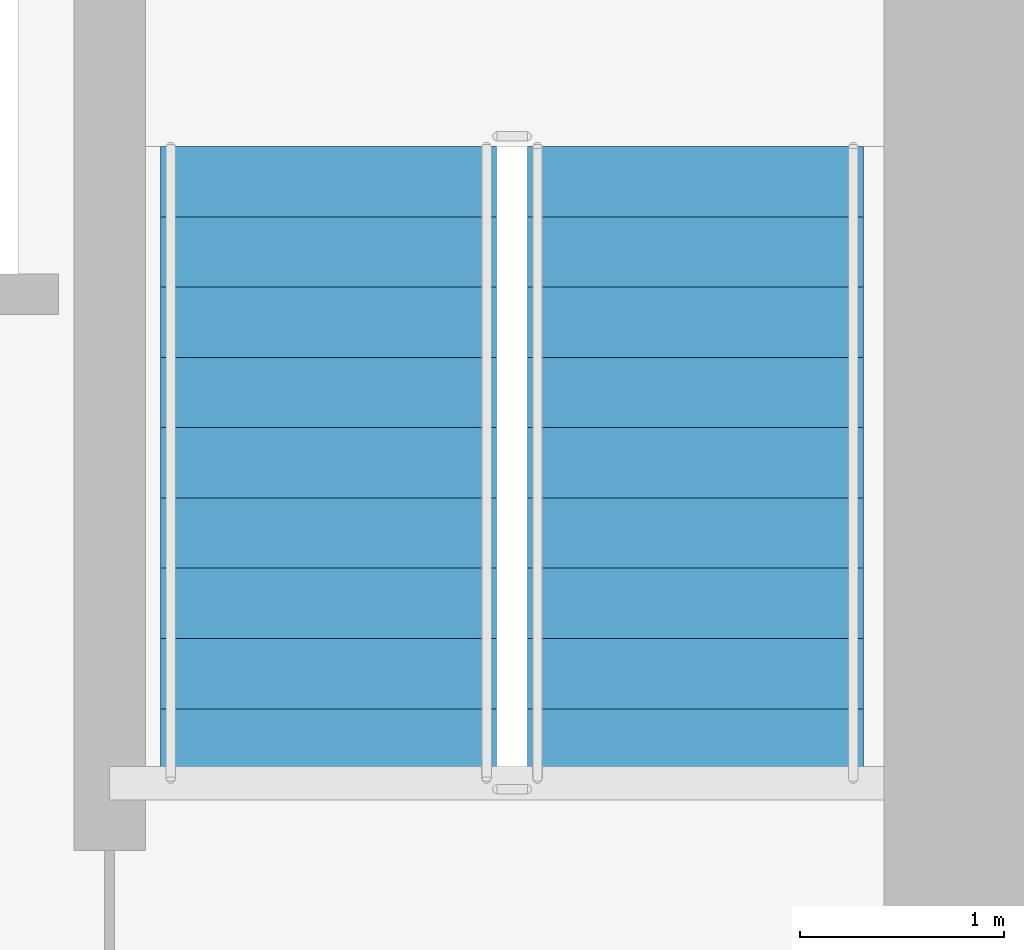
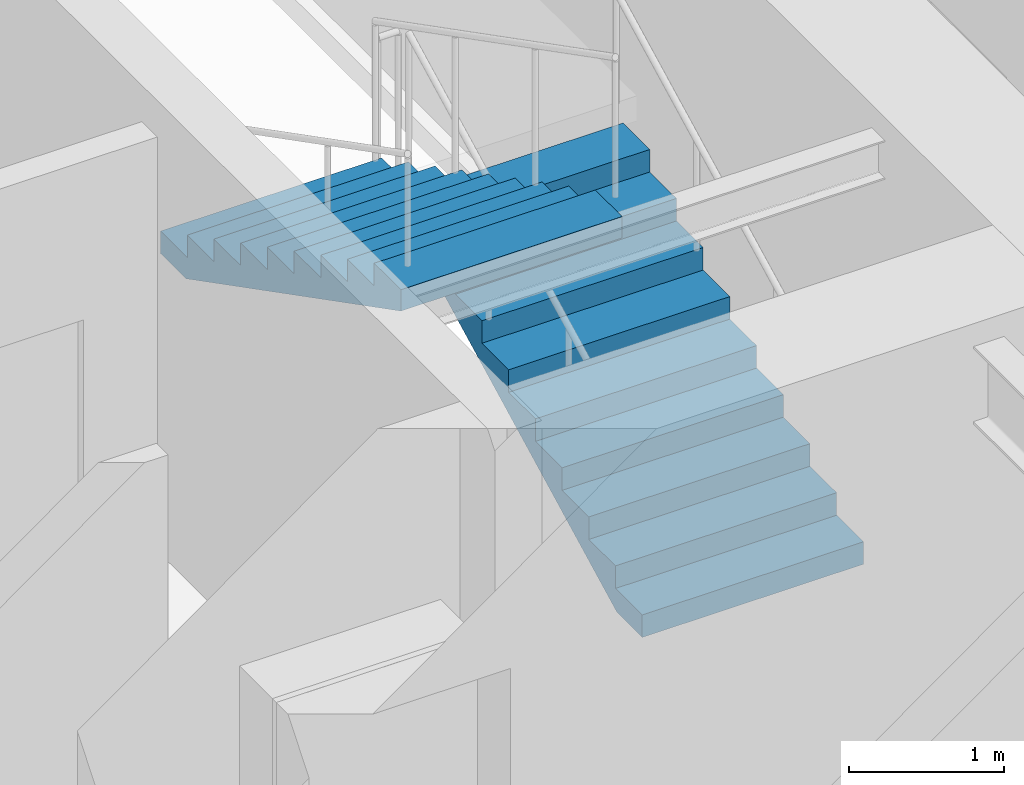
# One storey, part 20 of 25: 2 stair flights, 1 element without a shape of its own.
"""IFC4 building model written with IfcOpenShell, lengths in metres."""

from ifc_helpers import new_model, si_unit, direction, frame, origin, place, context, subcontext, project, spatial, polyline, outline, extrude, material, type_object, element, aggregate, save


model = new_model("IFC4")

# Units and contexts
model_context = context("Model", 3, precision=1e-05, world=origin(), true_north=direction((0.0, 1.0)))
body_context = subcontext(model_context, "Body", "Model", "MODEL_VIEW")
ifc_project = project(units=[si_unit("LENGTHUNIT", "METRE"), si_unit("AREAUNIT", "SQUARE_METRE"), si_unit("VOLUMEUNIT", "CUBIC_METRE"), si_unit("PLANEANGLEUNIT", "RADIAN"), si_unit("MASSUNIT", "GRAM", prefix="KILO")], contexts=[model_context])

# Site, building, storey
site_placement = place(None, origin())
site = spatial("IfcSite", under=ifc_project, at=site_placement, CompositionType="ELEMENT")
building_placement = place(site_placement, origin())
building = spatial("IfcBuilding", under=site, at=building_placement, Name="Tolvann Quenvar Hotel", CompositionType="ELEMENT")
storey_placement = place(building_placement, frame((0.0, 0.0, 39.10009765625)))
storey = spatial("IfcBuildingStorey", under=building, at=storey_placement, Name="L08", CompositionType="ELEMENT", Elevation=39.10009765625)

# Stair, stair flights
ifc_material = material(Name="Concrete N40 (40 MPa)", Category="concrete")
stair_type = type_object("IfcStairType", Name="STAIR", PredefinedType="HALF_TURN_STAIR", material=ifc_material)
stair_placement = place(storey_placement, origin())
stair = element("IfcStair", 1, at=stair_placement, inside=storey, type_object=stair_type, Name="L08 ST-C2", PredefinedType="HALF_TURN_STAIR")
stair_flight_type = type_object("IfcStairFlightType", Name="STAIR_FLIGHT", PredefinedType="STRAIGHT", material=ifc_material)
stair_flight_1_placement = place(storey_placement, frame((34.574951171875, 34.0, 0.0), z_axis=(0.0, 0.0, 1.0), x_axis=(0.0, 1.0, 0.0)))
stair_flight_1 = element("IfcStairFlight", 2, at=stair_flight_1_placement, type_object=stair_flight_type, Name="ST-C2 flight 1", NumberOfRisers=10, NumberOfTreads=9, PredefinedType="STRAIGHT", RiserHeight=0.1775, TreadLength=0.345, context=body_context, shape_type="SweptSolid", body=[
    extrude(outline(polyline([(0.0, 0.0), (0.0, 0.177490234375), (0.344970703125, 0.177490234375), (0.344970703125, 0.35498046875), (0.68994140625, 0.35498046875), (0.68994140625, 0.532470703125), (1.034912109375, 0.532470703125), (1.034912109375, 0.7099609375), (1.3798828125, 0.7099609375), (1.3798828125, 0.887451171875), (1.72509765625, 0.887451171875), (1.72509765625, 1.06494140625), (2.070068359375, 1.06494140625), (2.070068359375, 1.242431640625), (2.4150390625, 1.242431640625), (2.4150390625, 1.419921875), (2.760009765625, 1.419921875), (2.760009765625, 1.597412109375), (3.10498046875, 1.597412109375), (3.10498046875, 1.77490234375), (3.10498046875, 1.428955078125), (0.32763671875, 0.0), (0.0, 0.0)])), frame((0.0, 0.824951171875, 0.0), z_axis=(0.0, -1.0, 0.0), x_axis=(1.0, 0.0, 0.0)), (0.0, 0.0, 1.0), 1.64990234375),
])
stair_flight_2_placement = place(storey_placement, frame((32.77490234375, 37.10498046875, 1.77490234375), z_axis=(0.0, 0.0, 1.0), x_axis=(0.0, -1.0, 0.0)))
stair_flight_2 = element("IfcStairFlight", 3, at=stair_flight_2_placement, type_object=stair_flight_type, Name="ST-C2 flight 2", NumberOfRisers=10, NumberOfTreads=9, PredefinedType="STRAIGHT", RiserHeight=0.1775, TreadLength=0.345, context=body_context, shape_type="SweptSolid", body=[
    extrude(outline(polyline([(0.0, 0.0), (0.0, 0.177490234375), (0.344970703125, 0.177490234375), (0.344970703125, 0.35498046875), (0.68994140625, 0.35498046875), (0.68994140625, 0.532470703125), (1.034912109375, 0.532470703125), (1.034912109375, 0.7099609375), (1.3798828125, 0.7099609375), (1.3798828125, 0.887451171875), (1.72509765625, 0.887451171875), (1.72509765625, 1.06494140625), (2.070068359375, 1.06494140625), (2.070068359375, 1.242431640625), (2.4150390625, 1.242431640625), (2.4150390625, 1.419921875), (2.760009765625, 1.419921875), (2.760009765625, 1.597412109375), (3.10498046875, 1.597412109375), (3.10498046875, 1.77490234375), (3.10498046875, 1.428955078125), (0.32763671875, 0.0), (0.0, 0.0)])), frame((0.0, 0.824951171875, 0.0), z_axis=(0.0, -1.0, 0.0), x_axis=(1.0, 0.0, 0.0)), (0.0, 0.0, 1.0), 1.64990234375),
])
aggregate(stair, [stair_flight_1, stair_flight_2])

save(model, "model.ifc")
